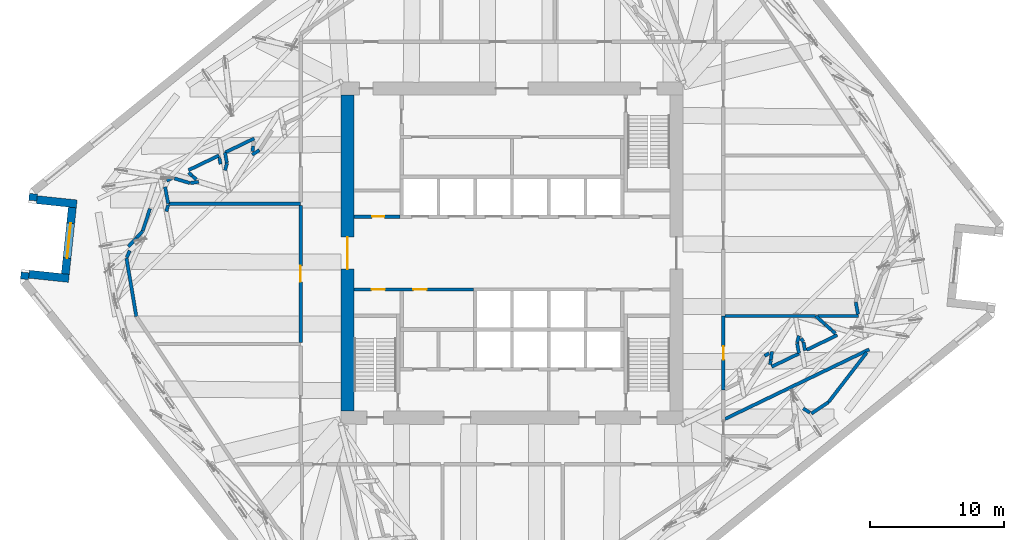
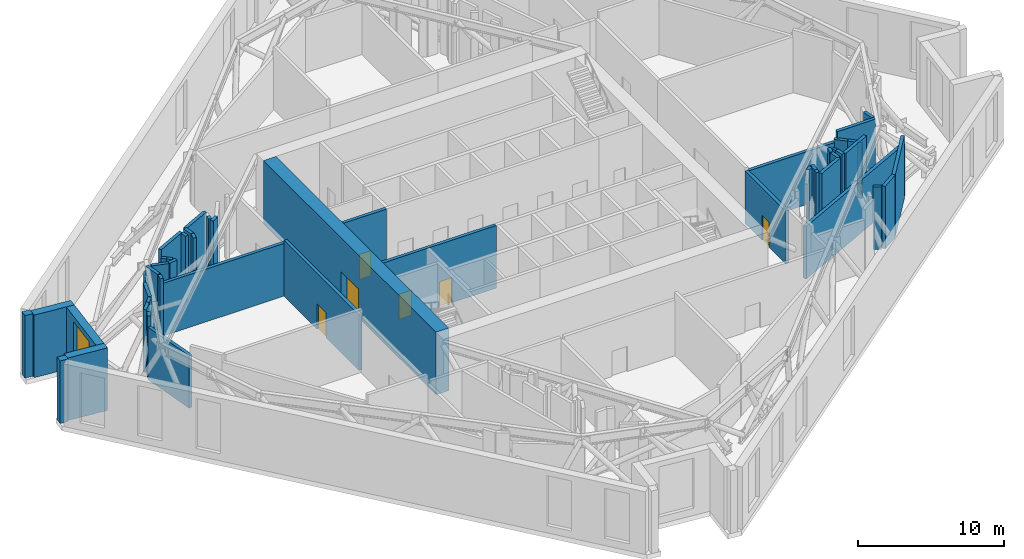
# One storey, part 9 of 17: 49 walls, 6 doors, 1 window, 7 openings.
"""IFC4 building model written with IfcOpenShell, lengths in metres."""

from ifc_helpers import new_model, si_unit, direction, frame, frame_2d, origin, place, context, subcontext, project, spatial, rectangle, extrude, material, layer, layer_set, type_object, element, fill, save


model = new_model("IFC4")

# Units and contexts
model_context = context("Model", 3, precision=1e-05, world=origin(), true_north=direction((0.0, 1.0)))
body_context = subcontext(model_context, "Body", "Model", "MODEL_VIEW")
ifc_project = project(units=[si_unit("LENGTHUNIT", "METRE"), si_unit("AREAUNIT", "SQUARE_METRE"), si_unit("VOLUMEUNIT", "CUBIC_METRE"), si_unit("PLANEANGLEUNIT", "RADIAN"), si_unit("MASSUNIT", "GRAM", prefix="KILO")], contexts=[model_context])

# Site, building, storey
site_placement = place(None, origin())
site = spatial("IfcSite", under=ifc_project, at=site_placement, CompositionType="ELEMENT")
building_placement = place(site_placement, origin())
building = spatial("IfcBuilding", under=site, at=building_placement, Name="Dilmun Exchange Tower", CompositionType="ELEMENT")
storey_placement = place(building_placement, frame((0.0, 0.0, 183.699951171875)))
storey = spatial("IfcBuildingStorey", under=building, at=storey_placement, Name="L43", CompositionType="ELEMENT", Elevation=183.699951171875)

# Wall, openings, doors
ifc_material_1 = material(Name="Concrete C40/50", Category="concrete")
ifc_layer_1 = layer(ifc_material_1, 0.25)
ifc_layer_set_1 = layer_set([ifc_layer_1], Name="Concrete C40/50")
wall_type_1 = type_object("IfcWallType", Name="Core partition wall 250", PredefinedType="PARTITIONING", material=ifc_layer_set_1)
wall_1_placement = place(storey_placement, frame((-11.794921875, -2.72509765625, 0.0), z_axis=(0.0, 0.0, 1.0), x_axis=(1.0, 0.0, 0.0)))
wall_1 = element("IfcWall", 1, at=wall_1_placement, inside=storey, type_object=wall_type_1, Name="L43 core partition wall 08", PredefinedType="PARTITIONING", context=body_context, shape_type="SweptSolid", body=[
    extrude(rectangle(XDim=8.9150390625, YDim=0.25, at=frame_2d((4.45751953125, 0.0))), origin(), (0.0, 0.0, 1.0), 5.219970703125),
])
opening_1_placement = place(wall_1_placement, frame((1.294921875, 0.0, 0.0)))
opening_1 = element("IfcOpeningElement", 2, at=opening_1_placement, cuts=wall_1, Name="Opening CD4", PredefinedType="OPENING", context=body_context, shape_type="SweptSolid", body=[
    extrude(rectangle(XDim=1.0, YDim=2.10009765625, at=frame_2d((0.5, 1.050048828125))), frame((0.0, 0.135009765625, 0.0), z_axis=(0.0, -1.0, 0.0), x_axis=(1.0, 0.0, 0.0)), (0.0, 0.0, 1.0), 0.27001953125),
])
opening_2_placement = place(wall_1_placement, frame((4.419921875, 0.0, 0.0)))
opening_2 = element("IfcOpeningElement", 3, at=opening_2_placement, cuts=wall_1, Name="Opening CD4", PredefinedType="OPENING", context=body_context, shape_type="SweptSolid", body=[
    extrude(rectangle(XDim=1.0, YDim=2.10009765625, at=frame_2d((0.5, 1.050048828125))), frame((0.0, 0.135009765625, 0.0), z_axis=(0.0, -1.0, 0.0), x_axis=(1.0, 0.0, 0.0)), (0.0, 0.0, 1.0), 0.27001953125),
])
ifc_material_2 = material(Name="Fire-rated steel door set", Category="steel")
door_type_1 = type_object("IfcDoorType", Name="Core room door 1000x2100", OperationType="SINGLE_SWING_LEFT", PredefinedType="DOOR", material=ifc_material_2)
door_1_placement = place(opening_1_placement, origin())
door_1 = element("IfcDoor", 4, at=door_1_placement, inside=storey, type_object=door_type_1, Name="L43 door Accessible WC", OperationType="SINGLE_SWING_RIGHT", OverallHeight=2.10009765625, OverallWidth=1.0, PredefinedType="DOOR", context=body_context, shape_type="SweptSolid", body=[
    extrude(rectangle(XDim=1.0, YDim=2.10009765625, at=frame_2d((0.5, 1.050048828125))), frame((0.0, 0.02490234375, 0.0), z_axis=(0.0, -1.0, 0.0), x_axis=(1.0, 0.0, 0.0)), (0.0, 0.0, 1.0), 0.050048828125),
])
fill(opening_1, door_1)
door_2_placement = place(opening_2_placement, origin())
door_2 = element("IfcDoor", 5, at=door_2_placement, inside=storey, type_object=door_type_1, Name="L43 door Tenant services room", OperationType="SINGLE_SWING_RIGHT", OverallHeight=2.10009765625, OverallWidth=1.0, PredefinedType="DOOR", context=body_context, shape_type="SweptSolid", body=[
    extrude(rectangle(XDim=1.0, YDim=2.10009765625, at=frame_2d((0.5, 1.050048828125))), frame((0.0, 0.02490234375, 0.0), z_axis=(0.0, -1.0, 0.0), x_axis=(1.0, 0.0, 0.0)), (0.0, 0.0, 1.0), 0.050048828125),
])
fill(opening_2, door_2)

# Wall, opening, door
wall_2_placement = place(storey_placement, frame((-11.794921875, 2.72509765625, 0.0), z_axis=(0.0, 0.0, 1.0), x_axis=(1.0, 0.0, 0.0)))
wall_2 = element("IfcWall", 6, at=wall_2_placement, inside=storey, type_object=wall_type_1, Name="L43 core partition wall 10", PredefinedType="PARTITIONING", context=body_context, shape_type="SweptSolid", body=[
    extrude(rectangle(XDim=3.4150390625, YDim=0.25, at=frame_2d((1.70751953125, 0.0))), origin(), (0.0, 0.0, 1.0), 5.219970703125),
])
opening_3_placement = place(wall_2_placement, frame((1.344970703125, 0.0, 0.0)))
opening_3 = element("IfcOpeningElement", 7, at=opening_3_placement, cuts=wall_2, Name="Opening CD6", PredefinedType="OPENING", context=body_context, shape_type="SweptSolid", body=[
    extrude(rectangle(XDim=0.89990234375, YDim=2.10009765625, at=frame_2d((0.449951171875, 1.050048828125))), frame((0.0, 0.135009765625, 0.0), z_axis=(0.0, -1.0, 0.0), x_axis=(1.0, 0.0, 0.0)), (0.0, 0.0, 1.0), 0.27001953125),
])
door_type_2 = type_object("IfcDoorType", Name="Core room door 900x2100", OperationType="SINGLE_SWING_LEFT", PredefinedType="DOOR", material=ifc_material_2)
door_3_placement = place(opening_3_placement, origin())
door_3 = element("IfcDoor", 8, at=door_3_placement, inside=storey, type_object=door_type_2, Name="L43 door Plumbing riser", OperationType="SINGLE_SWING_RIGHT", OverallHeight=2.10009765625, OverallWidth=0.89990234375, PredefinedType="DOOR", context=body_context, shape_type="SweptSolid", body=[
    extrude(rectangle(XDim=0.89990234375, YDim=2.10009765625, at=frame_2d((0.449951171875, 1.050048828125))), frame((0.0, 0.02490234375, 0.0), z_axis=(0.0, -1.0, 0.0), x_axis=(1.0, 0.0, 0.0)), (0.0, 0.0, 1.0), 0.050048828125),
])
fill(opening_3, door_3)

ifc_material_3 = material(Name="Concrete C70/85", Category="concrete")
ifc_layer_2 = layer(ifc_material_3, 1.0)
ifc_layer_set_2 = layer_set([ifc_layer_2], Name="Concrete C70/85")
wall_type_2 = type_object("IfcWallType", Name="Core shear wall 1000 Concrete C70/85", PredefinedType="SHEAR", material=ifc_layer_set_2)
wall_3_placement = place(storey_placement, frame((-12.300048828125, -11.800048828125, 0.0), z_axis=(0.0, 0.0, 1.0), x_axis=(0.0, 1.0, 0.0)))
wall_3 = element("IfcWall", 9, at=wall_3_placement, inside=storey, type_object=wall_type_2, Name="L43 core shear wall W", PredefinedType="SHEAR", context=body_context, shape_type="SweptSolid", body=[
    extrude(rectangle(XDim=23.60009765625, YDim=1.0, at=frame_2d((11.800048828125, 0.0))), origin(), (0.0, 0.0, 1.0), 5.219970703125),
])
opening_4_placement = place(wall_3_placement, frame((10.60009765625, 0.0, 0.0)))
opening_4 = element("IfcOpeningElement", 10, at=opening_4_placement, cuts=wall_3, Name="Opening CD1", PredefinedType="OPENING", context=body_context, shape_type="SweptSolid", body=[
    extrude(rectangle(XDim=2.39990234375, YDim=2.39990234375, at=frame_2d((1.199951171875, 1.199951171875))), frame((0.0, 0.510009765625, 0.0), z_axis=(0.0, -1.0, 0.0), x_axis=(1.0, 0.0, 0.0)), (0.0, 0.0, 1.0), 1.02001953125),
])
door_type_3 = type_object("IfcDoorType", Name="Core lobby door 2400x2400", OperationType="DOUBLE_DOOR_DOUBLE_SWING", PredefinedType="DOOR", material=ifc_material_2)
door_4_placement = place(opening_4_placement, origin())
door_4 = element("IfcDoor", 11, at=door_4_placement, inside=storey, type_object=door_type_3, Name="L43 door Central lift lobby", OperationType="SINGLE_SWING_LEFT", OverallHeight=2.39990234375, OverallWidth=2.39990234375, PredefinedType="DOOR", context=body_context, shape_type="SweptSolid", body=[
    extrude(rectangle(XDim=2.39990234375, YDim=2.39990234375, at=frame_2d((1.199951171875, 1.199951171875))), frame((0.0, 0.02490234375, 0.0), z_axis=(0.0, -1.0, 0.0), x_axis=(1.0, 0.0, 0.0)), (0.0, 0.0, 1.0), 0.050048828125),
])
fill(opening_4, door_4)

# Walls
ifc_material_4 = material(Name="Concrete C32/40", Category="concrete")
ifc_layer_3 = layer(ifc_material_4, 0.25)
ifc_layer_set_3 = layer_set([ifc_layer_3], Name="Concrete C32/40")
wall_type_3 = type_object("IfcWallType", Name="Plant room wall 250", PredefinedType="PARTITIONING", material=ifc_layer_set_3)
wall_4_placement = place(storey_placement, frame((15.929931640625, -12.400390625, 0.0), z_axis=(0.0, 0.0, 1.0), x_axis=(0.90067424874, 0.434494991521, 0.0)))
element("IfcWall", 12, at=wall_4_placement, inside=storey, type_object=wall_type_3, Name="L43 plant room wall 42", PredefinedType="PARTITIONING", context=body_context, shape_type="SweptSolid", body=[
    extrude(rectangle(XDim=11.958740234375, YDim=0.25, at=frame_2d((5.9794921875, 0.0))), origin(), (0.0, 0.0, 1.0), 4.385986328125),
])
wall_5_placement = place(storey_placement, frame((21.768310546875, -11.62109375, 0.0), z_axis=(0.0, 0.0, 1.0), x_axis=(0.85442143887, -0.519580604718, 0.0)))
element("IfcWall", 13, at=wall_5_placement, inside=storey, type_object=wall_type_3, Name="L43 plant room wall 44", PredefinedType="PARTITIONING", context=body_context, shape_type="SweptSolid", body=[
    extrude(rectangle(XDim=0.592041015625, YDim=0.25, at=frame_2d((0.2958984375, 0.0))), origin(), (0.0, 0.0, 1.0), 5.219970703125),
])
wall_6_placement = place(storey_placement, frame((22.386474609375, -11.996826171875, 0.0), z_axis=(0.0, 0.0, 1.0), x_axis=(0.832050294338, 0.554700196225, 0.0)))
element("IfcWall", 14, at=wall_6_placement, inside=storey, type_object=wall_type_3, Name="L43 plant room wall 45", PredefinedType="PARTITIONING", context=body_context, shape_type="SweptSolid", body=[
    extrude(rectangle(XDim=1.532470703125, YDim=0.25, at=frame_2d((0.76611328125, 0.0))), origin(), (0.0, 0.0, 1.0), 5.219970703125),
])

# Wall, opening, door
wall_7_placement = place(storey_placement, frame((15.800048828125, -10.237548828125, 0.0), z_axis=(0.0, 0.0, 1.0), x_axis=(0.0, 1.0, 0.0)))
wall_7 = element("IfcWall", 15, at=wall_7_placement, inside=storey, type_object=wall_type_3, Name="L43 plant room wall 46", PredefinedType="PARTITIONING", context=body_context, shape_type="SweptSolid", body=[
    extrude(rectangle(XDim=5.53759765625, YDim=0.25, at=frame_2d((2.768798828125, 0.0))), origin(), (0.0, 0.0, 1.0), 4.400146484375),
])
opening_5_placement = place(wall_7_placement, frame((2.266357421875, 0.0, 0.0)))
opening_5 = element("IfcOpeningElement", 16, at=opening_5_placement, cuts=wall_7, Name="Opening PD1", PredefinedType="OPENING", context=body_context, shape_type="SweptSolid", body=[
    extrude(rectangle(XDim=1.0, YDim=2.10009765625, at=frame_2d((0.5, 1.050048828125))), frame((0.0, 0.135009765625, 0.0), z_axis=(0.0, -1.0, 0.0), x_axis=(1.0, 0.0, 0.0)), (0.0, 0.0, 1.0), 0.27001953125),
])
door_type_4 = type_object("IfcDoorType", Name="Plant room door 1000x2100", OperationType="SINGLE_SWING_LEFT", PredefinedType="DOOR", material=ifc_material_2)
door_5_placement = place(opening_5_placement, origin())
door_5 = element("IfcDoor", 17, at=door_5_placement, inside=storey, type_object=door_type_4, Name="L43 door Mechanical valve room", OperationType="SINGLE_SWING_RIGHT", OverallHeight=2.10009765625, OverallWidth=1.0, PredefinedType="DOOR", context=body_context, shape_type="SweptSolid", body=[
    extrude(rectangle(XDim=1.0, YDim=2.10009765625, at=frame_2d((0.5, 1.050048828125))), frame((0.0, 0.02490234375, 0.0), z_axis=(0.0, -1.0, 0.0), x_axis=(1.0, 0.0, 0.0)), (0.0, 0.0, 1.0), 0.050048828125),
])
fill(opening_5, door_5)

# Walls
wall_8_placement = place(storey_placement, frame((19.302001953125, -8.340576171875, 0.0), z_axis=(0.0, 0.0, 1.0), x_axis=(0.137131036924, 0.990552915655, 0.0)))
element("IfcWall", 18, at=wall_8_placement, inside=storey, type_object=wall_type_3, Name="L43 plant room wall 49", PredefinedType="PARTITIONING", context=body_context, shape_type="SweptSolid", body=[
    extrude(rectangle(XDim=0.334716796875, YDim=0.25, at=frame_2d((0.16748046875, 0.0))), origin(), (0.0, 0.0, 1.0), 5.219970703125),
])
wall_9_placement = place(storey_placement, frame((19.35009765625, -7.994384765625, 0.0), z_axis=(0.0, 0.0, 1.0), x_axis=(0.136997955764, 0.990571330151, 0.0)))
element("IfcWall", 19, at=wall_9_placement, inside=storey, type_object=wall_type_3, Name="L43 plant room wall 50", PredefinedType="PARTITIONING", context=body_context, shape_type="SweptSolid", body=[
    extrude(rectangle(XDim=0.6416015625, YDim=0.25, at=frame_2d((0.32080078125, 0.0))), origin(), (0.0, 0.0, 1.0), 5.219970703125),
])
wall_10_placement = place(storey_placement, frame((19.4111328125, -8.50048828125, 0.0), z_axis=(0.0, 0.0, 1.0), x_axis=(0.900677822473, 0.434487583374, 0.0)))
element("IfcWall", 20, at=wall_10_placement, inside=storey, type_object=wall_type_3, Name="L43 plant room wall 52", PredefinedType="PARTITIONING", context=body_context, shape_type="SweptSolid", body=[
    extrude(rectangle(XDim=2.271728515625, YDim=0.25, at=frame_2d((1.1357421875, 0.0))), origin(), (0.0, 0.0, 1.0), 5.219970703125),
])
wall_11_placement = place(storey_placement, frame((18.885009765625, -7.693603515625, 0.0), z_axis=(0.0, 0.0, 1.0), x_axis=(0.847025743383, 0.531551869572, 0.0)))
element("IfcWall", 21, at=wall_11_placement, inside=storey, type_object=wall_type_3, Name="L43 plant room wall 53", PredefinedType="PARTITIONING", context=body_context, shape_type="SweptSolid", body=[
    extrude(rectangle(XDim=0.3955078125, YDim=0.25, at=frame_2d((0.19775390625, 0.0))), origin(), (0.0, 0.0, 1.0), 5.219970703125),
])
wall_12_placement = place(storey_placement, frame((21.789306640625, -6.649658203125, 0.0), z_axis=(0.0, 0.0, 1.0), x_axis=(0.182155819164, -0.983269676917, 0.0)))
element("IfcWall", 22, at=wall_12_placement, inside=storey, type_object=wall_type_3, Name="L43 plant room wall 54", PredefinedType="PARTITIONING", context=body_context, shape_type="SweptSolid", body=[
    extrude(rectangle(XDim=0.65673828125, YDim=0.25, at=frame_2d((0.328369140625, 0.0))), origin(), (0.0, 0.0, 1.0), 5.219970703125),
])
wall_13_placement = place(storey_placement, frame((23.664794921875, -11.142578125, 0.0), z_axis=(0.0, 0.0, 1.0), x_axis=(0.610541927953, 0.791983935577, 0.0)))
element("IfcWall", 23, at=wall_13_placement, inside=storey, type_object=wall_type_3, Name="L43 plant room wall 55", PredefinedType="PARTITIONING", context=body_context, shape_type="SweptSolid", body=[
    extrude(rectangle(XDim=4.6826171875, YDim=0.25, at=frame_2d((2.34130859375, 0.0))), origin(), (0.0, 0.0, 1.0), 5.219970703125),
])
wall_14_placement = place(storey_placement, frame((21.313720703125, -6.73779296875, 0.0), z_axis=(0.0, 0.0, 1.0), x_axis=(0.182066543673, -0.983286211474, 0.0)))
element("IfcWall", 24, at=wall_14_placement, inside=storey, type_object=wall_type_3, Name="L43 plant room wall 59", PredefinedType="PARTITIONING", context=body_context, shape_type="SweptSolid", body=[
    extrude(rectangle(XDim=0.769775390625, YDim=0.25, at=frame_2d((0.384765625, 0.0))), origin(), (0.0, 0.0, 1.0), 5.219970703125),
])
wall_15_placement = place(storey_placement, frame((21.607666015625, -6.3837890625, 0.0), z_axis=(0.0, 0.0, 1.0), x_axis=(0.580923237884, -0.813958347636, 0.0)))
element("IfcWall", 25, at=wall_15_placement, inside=storey, type_object=wall_type_3, Name="L43 plant room wall 60", PredefinedType="PARTITIONING", context=body_context, shape_type="SweptSolid", body=[
    extrude(rectangle(XDim=0.29345703125, YDim=0.25, at=frame_2d((0.146728515625, 0.0))), origin(), (0.0, 0.0, 1.0), 5.219970703125),
])
wall_16_placement = place(storey_placement, frame((21.314697265625, -6.70849609375, 0.0), z_axis=(0.0, 0.0, 1.0), x_axis=(0.250448101466, 0.968130026635, 0.0)))
element("IfcWall", 26, at=wall_16_placement, inside=storey, type_object=wall_type_3, Name="L43 plant room wall 61", PredefinedType="PARTITIONING", context=body_context, shape_type="SweptSolid", body=[
    extrude(rectangle(XDim=0.5439453125, YDim=0.25, at=frame_2d((0.27197265625, 0.0))), origin(), (0.0, 0.0, 1.0), 5.219970703125),
])
wall_17_placement = place(storey_placement, frame((22.030517578125, -7.23681640625, 0.0), z_axis=(0.0, 0.0, 1.0), x_axis=(0.900656947208, 0.434530854423, 0.0)))
element("IfcWall", 27, at=wall_17_placement, inside=storey, type_object=wall_type_3, Name="L43 plant room wall 62", PredefinedType="PARTITIONING", context=body_context, shape_type="SweptSolid", body=[
    extrude(rectangle(XDim=2.534423828125, YDim=0.25, at=frame_2d((1.26708984375, 0.0))), origin(), (0.0, 0.0, 1.0), 5.219970703125),
])
wall_18_placement = place(storey_placement, frame((23.906494140625, -5.773681640625, 0.0), z_axis=(0.0, 0.0, 1.0), x_axis=(0.747187044455, -0.664613813127, 0.0)))
element("IfcWall", 28, at=wall_18_placement, inside=storey, type_object=wall_type_3, Name="L43 plant room wall 63", PredefinedType="PARTITIONING", context=body_context, shape_type="SweptSolid", body=[
    extrude(rectangle(XDim=0.36376953125, YDim=0.25, at=frame_2d((0.181884765625, 0.0))), origin(), (0.0, 0.0, 1.0), 4.650146484375),
])
wall_19_placement = place(storey_placement, frame((23.415771484375, -5.33740234375, 0.0), z_axis=(0.0, 0.0, 1.0), x_axis=(0.747178387608, -0.664623545393, 0.0)))
element("IfcWall", 29, at=wall_19_placement, inside=storey, type_object=wall_type_3, Name="L43 plant room wall 64", PredefinedType="PARTITIONING", context=body_context, shape_type="SweptSolid", body=[
    extrude(rectangle(XDim=0.641845703125, YDim=0.25, at=frame_2d((0.32080078125, 0.0))), origin(), (0.0, 0.0, 1.0), 4.650146484375),
])
wall_20_placement = place(storey_placement, frame((-28.8212890625, -0.380859375, 0.0), z_axis=(0.0, 0.0, 1.0), x_axis=(0.166466871028, -0.98604704799, 0.0)))
element("IfcWall", 30, at=wall_20_placement, inside=storey, type_object=wall_type_3, Name="L43 plant room wall 65", PredefinedType="PARTITIONING", context=body_context, shape_type="SweptSolid", body=[
    extrude(rectangle(XDim=4.421875, YDim=0.25, at=frame_2d((2.2109375, 0.0))), origin(), (0.0, 0.0, 1.0), 4.385986328125),
])
wall_21_placement = place(storey_placement, frame((15.929931640625, -4.699951171875, 0.0), z_axis=(0.0, 0.0, 1.0), x_axis=(1.0, 0.0, 0.0)))
element("IfcWall", 31, at=wall_21_placement, inside=storey, type_object=wall_type_3, Name="L43 plant room wall 67", PredefinedType="PARTITIONING", context=body_context, shape_type="SweptSolid", body=[
    extrude(rectangle(XDim=6.768798828125, YDim=0.25, at=frame_2d((3.38427734375, 0.0))), origin(), (0.0, 0.0, 1.0), 4.400146484375),
])
wall_22_placement = place(storey_placement, frame((22.703857421875, -4.704345703125, 0.0), z_axis=(0.0, 0.0, 1.0), x_axis=(0.747108053691, -0.664702607268, 0.0)))
element("IfcWall", 32, at=wall_22_placement, inside=storey, type_object=wall_type_3, Name="L43 plant room wall 68", PredefinedType="PARTITIONING", context=body_context, shape_type="SweptSolid", body=[
    extrude(rectangle(XDim=0.939208984375, YDim=0.25, at=frame_2d((0.4697265625, 0.0))), origin(), (0.0, 0.0, 1.0), 4.650146484375),
])
wall_23_placement = place(storey_placement, frame((22.894287109375, -4.699951171875, 0.0), z_axis=(0.0, 0.0, 1.0), x_axis=(1.0, 0.0, 0.0)))
element("IfcWall", 33, at=wall_23_placement, inside=storey, type_object=wall_type_3, Name="L43 plant room wall 69", PredefinedType="PARTITIONING", context=body_context, shape_type="SweptSolid", body=[
    extrude(rectangle(XDim=2.995849609375, YDim=0.25, at=frame_2d((1.498046875, 0.0))), origin(), (0.0, 0.0, 1.0), 5.219970703125),
])
wall_24_placement = place(storey_placement, frame((25.698974609375, -3.669677734375, 0.0), z_axis=(0.0, 0.0, 1.0), x_axis=(0.182614282548, -0.983184633632, 0.0)))
element("IfcWall", 34, at=wall_24_placement, inside=storey, type_object=wall_type_3, Name="L43 plant room wall 70", PredefinedType="PARTITIONING", context=body_context, shape_type="SweptSolid", body=[
    extrude(rectangle(XDim=0.915771484375, YDim=0.25, at=frame_2d((0.4580078125, 0.0))), origin(), (0.0, 0.0, 1.0), 5.219970703125),
])
wall_25_placement = place(storey_placement, frame((-28.80126953125, -0.3349609375, 0.0), z_axis=(0.0, 0.0, 1.0), x_axis=(0.398915541048, 0.916987672278, 0.0)))
element("IfcWall", 35, at=wall_25_placement, inside=storey, type_object=wall_type_3, Name="L43 plant room wall 75", PredefinedType="PARTITIONING", context=body_context, shape_type="SweptSolid", body=[
    extrude(rectangle(XDim=0.5654296875, YDim=0.25, at=frame_2d((0.28271484375, 0.0))), origin(), (0.0, 0.0, 1.0), 5.219970703125),
])
wall_26_placement = place(storey_placement, frame((-28.685546875, 0.477783203125, 0.0), z_axis=(0.0, 0.0, 1.0), x_axis=(0.681194606792, 0.732102388794, 0.0)))
element("IfcWall", 36, at=wall_26_placement, inside=storey, type_object=wall_type_3, Name="L43 plant room wall 77", PredefinedType="PARTITIONING", context=body_context, shape_type="SweptSolid", body=[
    extrude(rectangle(XDim=0.906494140625, YDim=0.25, at=frame_2d((0.453125, 0.0))), origin(), (0.0, 0.0, 1.0), 5.219970703125),
])
wall_27_placement = place(storey_placement, frame((-28.058837890625, 1.1513671875, 0.0), z_axis=(0.0, 0.0, 1.0), x_axis=(0.681545040838, 0.731776166126, 0.0)))
element("IfcWall", 37, at=wall_27_placement, inside=storey, type_object=wall_type_3, Name="L43 plant room wall 78", PredefinedType="PARTITIONING", context=body_context, shape_type="SweptSolid", body=[
    extrude(rectangle(XDim=0.6416015625, YDim=0.25, at=frame_2d((0.32080078125, 0.0))), origin(), (0.0, 0.0, 1.0), 5.219970703125),
])
wall_28_placement = place(storey_placement, frame((-27.606689453125, 1.646240234375, 0.0), z_axis=(0.0, 0.0, 1.0), x_axis=(0.30805429815, 0.951368776759, 0.0)))
element("IfcWall", 38, at=wall_28_placement, inside=storey, type_object=wall_type_3, Name="L43 plant room wall 79", PredefinedType="PARTITIONING", context=body_context, shape_type="SweptSolid", body=[
    extrude(rectangle(XDim=1.75, YDim=0.25, at=frame_2d((0.875, 0.0))), origin(), (0.0, 0.0, 1.0), 5.219970703125),
])
wall_29_placement = place(storey_placement, frame((-25.836181640625, 3.11376953125, 0.0), z_axis=(0.0, 0.0, 1.0), x_axis=(0.250550529075, 0.968103523586, 0.0)))
element("IfcWall", 39, at=wall_29_placement, inside=storey, type_object=wall_type_3, Name="L43 plant room wall 80", PredefinedType="PARTITIONING", context=body_context, shape_type="SweptSolid", body=[
    extrude(rectangle(XDim=0.494140625, YDim=0.25, at=frame_2d((0.2470703125, 0.0))), origin(), (0.0, 0.0, 1.0), 5.219970703125),
])
wall_30_placement = place(storey_placement, frame((-25.937255859375, 4.95361328125, 0.0), z_axis=(0.0, 0.0, 1.0), x_axis=(0.182473206889, -0.983210826206, 0.0)))
element("IfcWall", 40, at=wall_30_placement, inside=storey, type_object=wall_type_3, Name="L43 plant room wall 81", PredefinedType="PARTITIONING", context=body_context, shape_type="SweptSolid", body=[
    extrude(rectangle(XDim=1.275146484375, YDim=0.25, at=frame_2d((0.6376953125, 0.0))), origin(), (0.0, 0.0, 1.0), 5.219970703125),
])
wall_31_placement = place(storey_placement, frame((-25.67724609375, 3.699951171875, 0.0), z_axis=(0.0, 0.0, 1.0), x_axis=(1.0, 0.0, 0.0)))
element("IfcWall", 41, at=wall_31_placement, inside=storey, type_object=wall_type_3, Name="L43 plant room wall 82", PredefinedType="PARTITIONING", context=body_context, shape_type="SweptSolid", body=[
    extrude(rectangle(XDim=9.877197265625, YDim=0.25, at=frame_2d((4.9384765625, 0.0))), origin(), (0.0, 0.0, 1.0), 4.400146484375),
])

# Wall, opening, door
wall_32_placement = place(storey_placement, frame((-15.800048828125, -6.669921875, 0.0), z_axis=(0.0, 0.0, 1.0), x_axis=(0.0, 1.0, 0.0)))
wall_32 = element("IfcWall", 42, at=wall_32_placement, inside=storey, type_object=wall_type_3, Name="L43 plant room wall 83", PredefinedType="PARTITIONING", context=body_context, shape_type="SweptSolid", body=[
    extrude(rectangle(XDim=10.239990234375, YDim=0.25, at=frame_2d((5.1201171875, 0.0))), origin(), (0.0, 0.0, 1.0), 4.650146484375),
])
opening_6_placement = place(wall_32_placement, frame((4.52001953125, 0.0, 0.0)))
opening_6 = element("IfcOpeningElement", 43, at=opening_6_placement, cuts=wall_32, Name="Opening PD2", PredefinedType="OPENING", context=body_context, shape_type="SweptSolid", body=[
    extrude(rectangle(XDim=1.199951171875, YDim=2.10009765625, at=frame_2d((0.60009765625, 1.050048828125))), frame((0.0, 0.135009765625, 0.0), z_axis=(0.0, -1.0, 0.0), x_axis=(1.0, 0.0, 0.0)), (0.0, 0.0, 1.0), 0.27001953125),
])
door_type_5 = type_object("IfcDoorType", Name="Plant room door 1200x2100", OperationType="SINGLE_SWING_LEFT", PredefinedType="DOOR", material=ifc_material_2)
door_6_placement = place(opening_6_placement, origin())
door_6 = element("IfcDoor", 44, at=door_6_placement, inside=storey, type_object=door_type_5, Name="L43 door Transformer room", OperationType="SINGLE_SWING_RIGHT", OverallHeight=2.10009765625, OverallWidth=1.199951171875, PredefinedType="DOOR", context=body_context, shape_type="SweptSolid", body=[
    extrude(rectangle(XDim=1.199951171875, YDim=2.10009765625, at=frame_2d((0.60009765625, 1.050048828125))), frame((0.0, 0.02490234375, 0.0), z_axis=(0.0, -1.0, 0.0), x_axis=(1.0, 0.0, 0.0)), (0.0, 0.0, 1.0), 0.050048828125),
])
fill(opening_6, door_6)

# Walls
wall_33_placement = place(storey_placement, frame((-24.0537109375, 5.233154296875, 0.0), z_axis=(0.0, 0.0, 1.0), x_axis=(0.989378459239, 0.145362527473, 0.0)))
element("IfcWall", 45, at=wall_33_placement, inside=storey, type_object=wall_type_3, Name="L43 plant room wall 85", PredefinedType="PARTITIONING", context=body_context, shape_type="SweptSolid", body=[
    extrude(rectangle(XDim=0.6416015625, YDim=0.25, at=frame_2d((0.32080078125, 0.0))), origin(), (0.0, 0.0, 1.0), 4.650146484375),
])
wall_34_placement = place(storey_placement, frame((-23.895263671875, 5.763916015625, 0.0), z_axis=(0.0, 0.0, 1.0), x_axis=(0.747239075393, -0.664555313128, 0.0)))
element("IfcWall", 46, at=wall_34_placement, inside=storey, type_object=wall_type_3, Name="L43 plant room wall 86", PredefinedType="PARTITIONING", context=body_context, shape_type="SweptSolid", body=[
    extrude(rectangle(XDim=0.395751953125, YDim=0.25, at=frame_2d((0.19775390625, 0.0))), origin(), (0.0, 0.0, 1.0), 4.650146484375),
])
wall_35_placement = place(storey_placement, frame((-25.813720703125, 5.411865234375, 0.0), z_axis=(0.0, 0.0, 1.0), x_axis=(0.90088110163, 0.434065940527, 0.0)))
element("IfcWall", 47, at=wall_35_placement, inside=storey, type_object=wall_type_3, Name="L43 plant room wall 87", PredefinedType="PARTITIONING", context=body_context, shape_type="SweptSolid", body=[
    extrude(rectangle(XDim=0.43994140625, YDim=0.25, at=frame_2d((0.219970703125, 0.0))), origin(), (0.0, 0.0, 1.0), 4.385986328125),
])
wall_36_placement = place(storey_placement, frame((-25.239013671875, 5.580810546875, 0.0), z_axis=(0.0, 0.0, 1.0), x_axis=(0.958132052179, -0.286326685076, 0.0)))
element("IfcWall", 48, at=wall_36_placement, inside=storey, type_object=wall_type_3, Name="L43 plant room wall 88", PredefinedType="PARTITIONING", context=body_context, shape_type="SweptSolid", body=[
    extrude(rectangle(XDim=1.20654296875, YDim=0.25, at=frame_2d((0.603271484375, 0.0))), origin(), (0.0, 0.0, 1.0), 4.650146484375),
])
wall_37_placement = place(storey_placement, frame((-24.1787109375, 6.01611328125, 0.0), z_axis=(0.0, 0.0, 1.0), x_axis=(0.746780797228, -0.665070252599, 0.0)))
element("IfcWall", 49, at=wall_37_placement, inside=storey, type_object=wall_type_3, Name="L43 plant room wall 89", PredefinedType="PARTITIONING", context=body_context, shape_type="SweptSolid", body=[
    extrude(rectangle(XDim=0.364501953125, YDim=0.25, at=frame_2d((0.18212890625, 0.0))), origin(), (0.0, 0.0, 1.0), 4.650146484375),
])
wall_38_placement = place(storey_placement, frame((-24.1865234375, 6.19677734375, 0.0), z_axis=(0.0, 0.0, 1.0), x_axis=(0.900689755007, 0.434462846772, 0.0)))
element("IfcWall", 50, at=wall_38_placement, inside=storey, type_object=wall_type_3, Name="L43 plant room wall 90", PredefinedType="PARTITIONING", context=body_context, shape_type="SweptSolid", body=[
    extrude(rectangle(XDim=2.52880859375, YDim=0.25, at=frame_2d((1.264404296875, 0.0))), origin(), (0.0, 0.0, 1.0), 5.219970703125),
])
wall_39_placement = place(storey_placement, frame((-21.450927734375, 6.181884765625, 0.0), z_axis=(0.0, 0.0, 1.0), x_axis=(0.250448101466, 0.968130026635, 0.0)))
element("IfcWall", 51, at=wall_39_placement, inside=storey, type_object=wall_type_3, Name="L43 plant room wall 91", PredefinedType="PARTITIONING", context=body_context, shape_type="SweptSolid", body=[
    extrude(rectangle(XDim=0.5439453125, YDim=0.25, at=frame_2d((0.27197265625, 0.0))), origin(), (0.0, 0.0, 1.0), 5.219970703125),
])
wall_40_placement = place(storey_placement, frame((-21.457275390625, 7.513427734375, 0.0), z_axis=(0.0, 0.0, 1.0), x_axis=(0.1819895113, -0.983300471767, 0.0)))
element("IfcWall", 52, at=wall_40_placement, inside=storey, type_object=wall_type_3, Name="L43 plant room wall 92", PredefinedType="PARTITIONING", context=body_context, shape_type="SweptSolid", body=[
    extrude(rectangle(XDim=0.788818359375, YDim=0.25, at=frame_2d((0.39453125, 0.0))), origin(), (0.0, 0.0, 1.0), 5.219970703125),
])
wall_41_placement = place(storey_placement, frame((-21.880859375, 7.143310546875, 0.0), z_axis=(0.0, 0.0, 1.0), x_axis=(0.182350445378, -0.983233601476, 0.0)))
element("IfcWall", 53, at=wall_41_placement, inside=storey, type_object=wall_type_3, Name="L43 plant room wall 93", PredefinedType="PARTITIONING", context=body_context, shape_type="SweptSolid", body=[
    extrude(rectangle(XDim=0.501953125, YDim=0.25, at=frame_2d((0.2509765625, 0.0))), origin(), (0.0, 0.0, 1.0), 5.219970703125),
])
wall_42_placement = place(storey_placement, frame((-19.428466796875, 7.3525390625, 0.0), z_axis=(0.0, 0.0, 1.0), x_axis=(0.847013506034, 0.53157136924, 0.0)))
element("IfcWall", 54, at=wall_42_placement, inside=storey, type_object=wall_type_3, Name="L43 plant room wall 97", PredefinedType="PARTITIONING", context=body_context, shape_type="SweptSolid", body=[
    extrude(rectangle(XDim=0.6416015625, YDim=0.25, at=frame_2d((0.32080078125, 0.0))), origin(), (0.0, 0.0, 1.0), 5.219970703125),
])
wall_43_placement = place(storey_placement, frame((-21.440185546875, 7.521484375, 0.0), z_axis=(0.0, 0.0, 1.0), x_axis=(0.900641917446, 0.434562005402, 0.0)))
element("IfcWall", 55, at=wall_43_placement, inside=storey, type_object=wall_type_3, Name="L43 plant room wall 98", PredefinedType="PARTITIONING", context=body_context, shape_type="SweptSolid", body=[
    extrude(rectangle(XDim=2.408935546875, YDim=0.25, at=frame_2d((1.20458984375, 0.0))), origin(), (0.0, 0.0, 1.0), 5.219970703125),
])
wall_44_placement = place(storey_placement, frame((-19.404296875, 7.6025390625, 0.0), z_axis=(0.0, 0.0, 1.0), x_axis=(0.137013310792, 0.990569206399, 0.0)))
element("IfcWall", 56, at=wall_44_placement, inside=storey, type_object=wall_type_3, Name="L43 plant room wall 100", PredefinedType="PARTITIONING", context=body_context, shape_type="SweptSolid", body=[
    extrude(rectangle(XDim=0.3955078125, YDim=0.25, at=frame_2d((0.19775390625, 0.0))), origin(), (0.0, 0.0, 1.0), 5.219970703125),
])
ifc_material_5 = material(Name="Precast concrete C50/60", Category="concrete")
ifc_layer_4 = layer(ifc_material_5, 0.60009765625)
ifc_layer_set_4 = layer_set([ifc_layer_4], Name="Precast concrete C50/60")
wall_type_4 = type_object("IfcWallType", Name="Precast stone-clad wall 600", PredefinedType="STANDARD", material=ifc_layer_set_4)
wall_45_placement = place(storey_placement, frame((-35.7783203125, 4.4296875, 0.0), z_axis=(0.0, 0.0, 1.0), x_axis=(-0.104610188855, -0.994513302268, 0.0)))
element("IfcWall", 57, at=wall_45_placement, inside=storey, type_object=wall_type_4, Name="Facade wall L43-04", PredefinedType="STANDARD", context=body_context, shape_type="SweptSolid", body=[
    extrude(rectangle(XDim=0.510986328125, YDim=0.60009765625, at=frame_2d((0.25537109375, 0.0))), origin(), (0.0, 0.0, 1.0), 5.219970703125),
])
wall_46_placement = place(storey_placement, frame((-35.52294921875, 3.989501953125, 0.0), z_axis=(0.0, 0.0, 1.0), x_axis=(0.994517485792, -0.10457040907, 0.0)))
element("IfcWall", 58, at=wall_46_placement, inside=storey, type_object=wall_type_4, Name="Facade wall L43-05", PredefinedType="STANDARD", context=body_context, shape_type="SweptSolid", body=[
    extrude(rectangle(XDim=3.0, YDim=0.60009765625, at=frame_2d((1.5, 0.0))), origin(), (0.0, 0.0, 1.0), 5.219970703125),
])

# Wall, opening, window
wall_47_placement = place(storey_placement, frame((-32.868896484375, 3.40869140625, 0.0), z_axis=(0.0, 0.0, 1.0), x_axis=(-0.104544982588, -0.994520158979, 0.0)))
wall_47 = element("IfcWall", 59, at=wall_47_placement, inside=storey, type_object=wall_type_4, Name="Facade wall L43-06", PredefinedType="STANDARD", context=body_context, shape_type="SweptSolid", body=[
    extrude(rectangle(XDim=4.999755859375, YDim=0.60009765625, at=frame_2d((2.5, 0.0))), origin(), (0.0, 0.0, 1.0), 5.219970703125),
])
opening_7_placement = place(wall_47_placement, frame((1.199951171875, 0.0, 0.60009765625)))
opening_7 = element("IfcOpeningElement", 60, at=opening_7_placement, cuts=wall_47, Name="Opening LV260-417", PredefinedType="OPENING", context=body_context, shape_type="SweptSolid", body=[
    extrude(rectangle(XDim=2.60009765625, YDim=4.169921875, at=frame_2d((1.300048828125, 2.0849609375))), frame((0.0, 0.31005859375, 0.0), z_axis=(0.0, -1.0, 0.0), x_axis=(1.0, 0.0, 0.0)), (0.0, 0.0, 1.0), 0.6201171875),
])
ifc_material_6 = material(Name="Anodised aluminium louvre blades with sand trap", Category="aluminium")
window_type = type_object("IfcWindowType", Name="Plant louvre 2600 x 4170", PartitioningType="SINGLE_PANEL", PredefinedType="USERDEFINED", material=ifc_material_6)
window_placement = place(opening_7_placement, origin())
window = element("IfcWindow", 61, at=window_placement, inside=storey, type_object=window_type, Name="Plant louvre 7.1", ObjectType="LOUVRE", OverallHeight=4.169921875, OverallWidth=2.60009765625, PartitioningType="SINGLE_PANEL", PredefinedType="USERDEFINED", context=body_context, shape_type="SweptSolid", body=[
    extrude(rectangle(XDim=2.60009765625, YDim=4.169921875, at=frame_2d((1.300048828125, 2.0849609375))), frame((0.0, 0.030029296875, 0.0), z_axis=(0.0, -1.0, 0.0), x_axis=(1.0, 0.0, 0.0)), (0.0, 0.0, 1.0), 0.06005859375),
])
fill(opening_7, window)

# Walls
wall_48_placement = place(storey_placement, frame((-33.124755859375, -1.8935546875, 0.0), z_axis=(0.0, 0.0, 1.0), x_axis=(-0.994516595821, 0.104578872801, 0.0)))
element("IfcWall", 62, at=wall_48_placement, inside=storey, type_object=wall_type_4, Name="Facade wall L43-07", PredefinedType="STANDARD", context=body_context, shape_type="SweptSolid", body=[
    extrude(rectangle(XDim=2.999755859375, YDim=0.60009765625, at=frame_2d((1.5, 0.0))), origin(), (0.0, 0.0, 1.0), 5.219970703125),
])
wall_49_placement = place(storey_placement, frame((-36.39599609375, -1.44921875, 0.0), z_axis=(0.0, 0.0, 1.0), x_axis=(-0.105082598183, -0.994463497349, 0.0)))
element("IfcWall", 63, at=wall_49_placement, inside=storey, type_object=wall_type_4, Name="Facade wall L43-08", PredefinedType="STANDARD", context=body_context, shape_type="SweptSolid", body=[
    extrude(rectangle(XDim=0.51123046875, YDim=0.60009765625, at=frame_2d((0.255615234375, 0.0))), origin(), (0.0, 0.0, 1.0), 5.219970703125),
])

save(model, "model.ifc")
